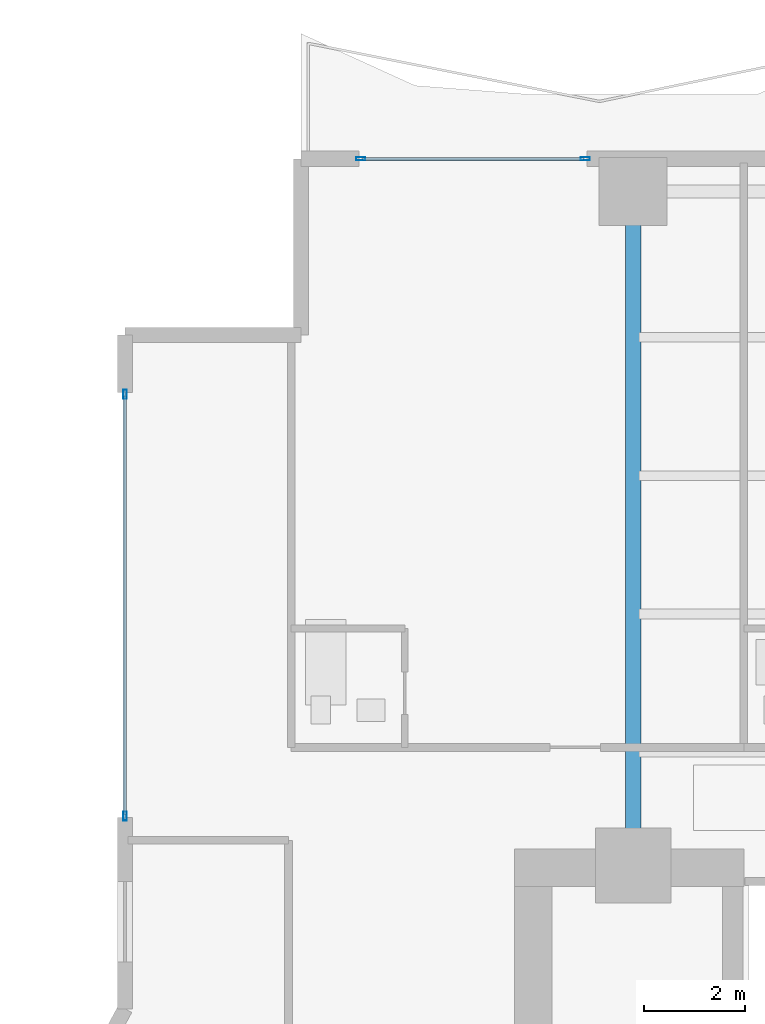
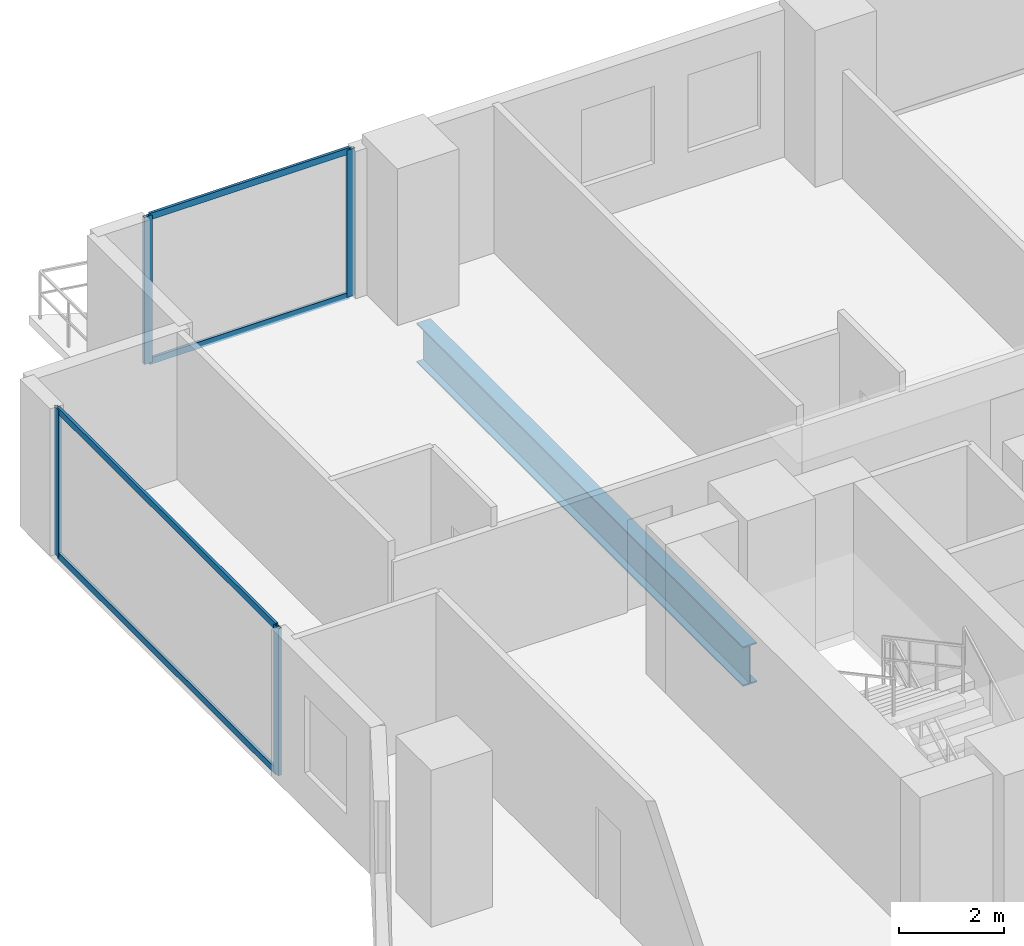
# One storey, part 14 of 27: 8 members, 1 beam, 2 elements without a shape of their own.
"""IFC4 building model written with IfcOpenShell, lengths in metres."""

from ifc_helpers import new_model, si_unit, direction, frame, origin, origin_2d, place, context, subcontext, project, spatial, hollow_rectangle, i_section, extrude, material, layer, layer_set, material_profile, profile_set, type_object, element, aggregate, save


model = new_model("IFC4")

# Units and contexts
model_context = context("Model", 3, precision=1e-05, world=origin(), true_north=direction((0.0, 1.0)))
body_context = subcontext(model_context, "Body", "Model", "MODEL_VIEW")
ifc_project = project(units=[si_unit("LENGTHUNIT", "METRE"), si_unit("AREAUNIT", "SQUARE_METRE"), si_unit("VOLUMEUNIT", "CUBIC_METRE"), si_unit("PLANEANGLEUNIT", "RADIAN"), si_unit("MASSUNIT", "GRAM", prefix="KILO")], contexts=[model_context])

# Site, building, storey
site_placement = place(None, origin())
site = spatial("IfcSite", under=ifc_project, at=site_placement, CompositionType="ELEMENT")
building_placement = place(site_placement, origin())
building = spatial("IfcBuilding", under=site, at=building_placement, Name="Zuhayl Quay Hotel", CompositionType="ELEMENT")
storey_placement = place(building_placement, frame((0.0, 0.0, 117.550048828125)))
storey = spatial("IfcBuildingStorey", under=building, at=storey_placement, Name="L29", CompositionType="ELEMENT", Elevation=117.550048828125)

# Beam
ifc_material_1 = material(Name="Steel ASTM A992 Grade 50", Category="steel")
ifc_material_profile_1 = material_profile(ifc_material_1, i_section(OverallWidth=0.306884765625, OverallDepth=0.927001953125, WebThickness=0.019287109375, FlangeThickness=0.031982421875, at=origin_2d()), Name="W36X194")
ifc_profile_set_1 = profile_set([ifc_material_profile_1], Name="Steel ASTM A992 Grade 50")
beam_type = type_object("IfcBeamType", Name="BM_PG2_W36X194", PredefinedType="BEAM", material=ifc_profile_set_1)
beam_placement = place(storey_placement, frame((-13.800048828125, 14.800048828125, -0.68359375), z_axis=(0.0, 1.0, 0.0), x_axis=(-1.0, 0.0, 0.0)))
element("IfcBeam", 1, at=beam_placement, inside=storey, type_object=beam_type, Name="L29 Floor Beam FG_N_L29_1", PredefinedType="BEAM", context=body_context, shape_type="SweptSolid", body=[
    extrude(i_section(OverallWidth=0.306884765625, OverallDepth=0.927001953125, WebThickness=0.019287109375, FlangeThickness=0.031982421875, at=origin_2d()), origin(), (0.0, 0.0, 1.0), 12.449951171875),
])

# Curtain wall, members
ifc_material_2 = material(Name="Anodised Aluminium 6063-T6", Category="aluminium")
ifc_layer = layer(ifc_material_2, 0.179931640625, Name="Anodised Aluminium 6063-T6", Category="aluminium")
ifc_layer_set = layer_set([ifc_layer], Name="Anodised Aluminium 6063-T6")
curtain_wall_type = type_object("IfcCurtainWallType", Name="CW_SYS_Z2", PredefinedType="USERDEFINED", material=ifc_layer_set)
curtain_wall_1_placement = place(storey_placement, origin())
curtain_wall_1 = element("IfcCurtainWall", 2, at=curtain_wall_1_placement, inside=storey, type_object=curtain_wall_type, Name="L29 Curtain Wall ENV_L29_E05_CW1", ObjectType="UNITISED CURTAIN WALL", PredefinedType="USERDEFINED")
ifc_material_3 = material(Name="Black-anodised aluminium 6063-T6", Category="aluminium")
ifc_material_profile_2 = material_profile(ifc_material_3, hollow_rectangle(XDim=0.06494140625, YDim=0.179931640625, WallThickness=0.00341796875, at=origin_2d()), Name="ALU180X65")
ifc_profile_set_2 = profile_set([ifc_material_profile_2], Name="Black-anodised aluminium 6063-T6")
member_type_1 = type_object("IfcMemberType", Name="MB_CW_MUL_180", PredefinedType="MULLION", material=ifc_profile_set_2)
member_1_placement = place(storey_placement, frame((-23.89990234375, 15.33251953125, 0.0), z_axis=(0.0, 0.0, 1.0), x_axis=(-1.0, 0.0, 0.0)))
member_1 = element("IfcMember", 3, at=member_1_placement, type_object=member_type_1, Name="CW-Z2 mullion 1", PredefinedType="MULLION", context=body_context, shape_type="SweptSolid", body=[
    extrude(hollow_rectangle(XDim=0.06494140625, YDim=0.179931640625, WallThickness=0.00341796875, at=origin_2d()), origin(), (0.0, 0.0, 1.0), 3.429931640625),
])
member_2_placement = place(storey_placement, frame((-23.89990234375, 23.717529296875, 0.0), z_axis=(0.0, 0.0, 1.0), x_axis=(-1.0, 0.0, 0.0)))
member_2 = element("IfcMember", 4, at=member_2_placement, type_object=member_type_1, Name="CW-Z2 mullion 2", PredefinedType="MULLION", context=body_context, shape_type="SweptSolid", body=[
    extrude(hollow_rectangle(XDim=0.06494140625, YDim=0.179931640625, WallThickness=0.00341796875, at=origin_2d()), origin(), (0.0, 0.0, 1.0), 3.429931640625),
])

curtain_wall_2_placement = place(storey_placement, origin())
curtain_wall_2 = element("IfcCurtainWall", 5, at=curtain_wall_2_placement, inside=storey, type_object=curtain_wall_type, Name="L29 Curtain Wall ENV_L29_N_CW1", ObjectType="UNITISED CURTAIN WALL", PredefinedType="USERDEFINED")
member_3_placement = place(storey_placement, frame((-19.217529296875, 28.39990234375, 0.0), z_axis=(0.0, 0.0, 1.0), x_axis=(0.0, 1.0, 0.0)))
member_3 = element("IfcMember", 6, at=member_3_placement, type_object=member_type_1, Name="CW-Z2 mullion 1", PredefinedType="MULLION", context=body_context, shape_type="SweptSolid", body=[
    extrude(hollow_rectangle(XDim=0.06494140625, YDim=0.179931640625, WallThickness=0.00341796875, at=origin_2d()), origin(), (0.0, 0.0, 1.0), 3.429931640625),
])
member_4_placement = place(storey_placement, frame((-14.75244140625, 28.39990234375, 0.0), z_axis=(0.0, 0.0, 1.0), x_axis=(0.0, 1.0, 0.0)))
member_4 = element("IfcMember", 7, at=member_4_placement, type_object=member_type_1, Name="CW-Z2 mullion 2", PredefinedType="MULLION", context=body_context, shape_type="SweptSolid", body=[
    extrude(hollow_rectangle(XDim=0.06494140625, YDim=0.179931640625, WallThickness=0.00341796875, at=origin_2d()), origin(), (0.0, 0.0, 1.0), 3.429931640625),
])

# Member
ifc_material_profile_3 = material_profile(ifc_material_3, hollow_rectangle(XDim=0.06005859375, YDim=0.14990234375, WallThickness=0.00341796875, at=origin_2d()), Name="ALU150X60")
ifc_profile_set_3 = profile_set([ifc_material_profile_3], Name="Black-anodised aluminium 6063-T6")
member_type_2 = type_object("IfcMemberType", Name="MB_CW_TRN_150", PredefinedType="USERDEFINED", material=ifc_profile_set_3)
member_5_placement = place(storey_placement, frame((-23.89990234375, 15.364990234375, 0.030029296875), z_axis=(0.0, 1.0, 0.0), x_axis=(-1.0, 0.0, 0.0)))
member_5 = element("IfcMember", 8, at=member_5_placement, type_object=member_type_2, Name="CW-Z2 transom 1.1", ObjectType="TRANSOM", PredefinedType="USERDEFINED", context=body_context, shape_type="SweptSolid", body=[
    extrude(hollow_rectangle(XDim=0.06005859375, YDim=0.14990234375, WallThickness=0.00341796875, at=origin_2d()), origin(), (0.0, 0.0, 1.0), 8.320068359375),
])

member_6_placement = place(storey_placement, frame((-23.89990234375, 15.364990234375, 3.39990234375), z_axis=(0.0, 1.0, 0.0), x_axis=(-1.0, 0.0, 0.0)))
member_6 = element("IfcMember", 9, at=member_6_placement, type_object=member_type_2, Name="CW-Z2 transom 1.2", ObjectType="TRANSOM", PredefinedType="USERDEFINED", context=body_context, shape_type="SweptSolid", body=[
    extrude(hollow_rectangle(XDim=0.06005859375, YDim=0.14990234375, WallThickness=0.00341796875, at=origin_2d()), origin(), (0.0, 0.0, 1.0), 8.320068359375),
])

aggregate(curtain_wall_1, [member_1, member_2, member_5, member_6])

member_7_placement = place(storey_placement, frame((-19.18505859375, 28.39990234375, 0.030029296875), z_axis=(1.0, 0.0, 0.0), x_axis=(0.0, 1.0, 0.0)))
member_7 = element("IfcMember", 10, at=member_7_placement, type_object=member_type_2, Name="CW-Z2 transom 1.1", ObjectType="TRANSOM", PredefinedType="USERDEFINED", context=body_context, shape_type="SweptSolid", body=[
    extrude(hollow_rectangle(XDim=0.06005859375, YDim=0.14990234375, WallThickness=0.00341796875, at=origin_2d()), origin(), (0.0, 0.0, 1.0), 4.400146484375),
])

member_8_placement = place(storey_placement, frame((-19.18505859375, 28.39990234375, 3.39990234375), z_axis=(1.0, 0.0, 0.0), x_axis=(0.0, 1.0, 0.0)))
member_8 = element("IfcMember", 11, at=member_8_placement, type_object=member_type_2, Name="CW-Z2 transom 1.2", ObjectType="TRANSOM", PredefinedType="USERDEFINED", context=body_context, shape_type="SweptSolid", body=[
    extrude(hollow_rectangle(XDim=0.06005859375, YDim=0.14990234375, WallThickness=0.00341796875, at=origin_2d()), origin(), (0.0, 0.0, 1.0), 4.400146484375),
])

aggregate(curtain_wall_2, [member_3, member_4, member_7, member_8])

save(model, "model.ifc")
